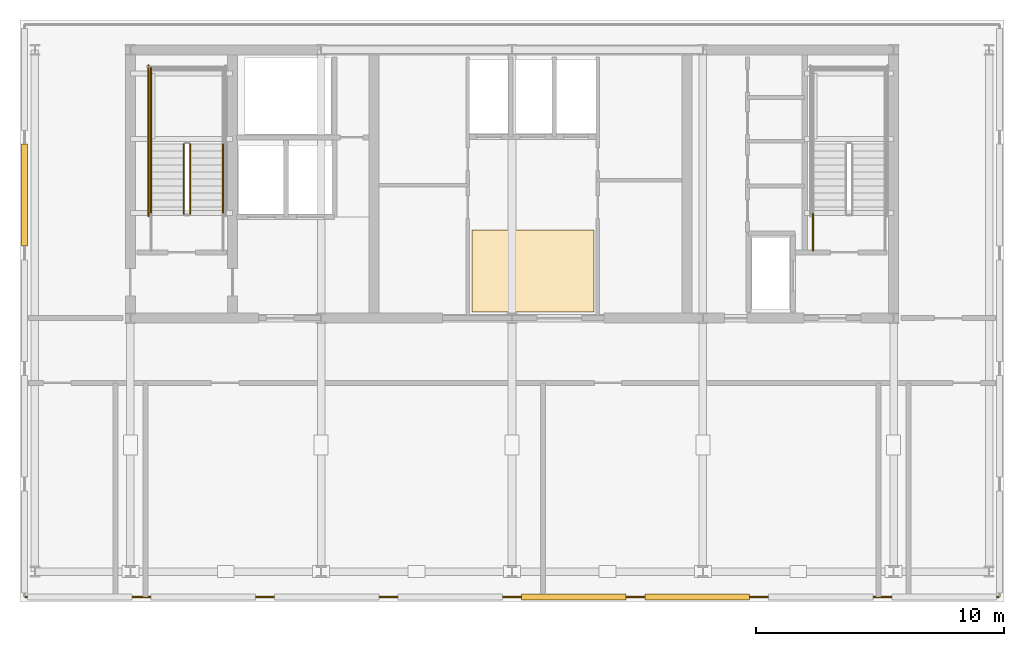
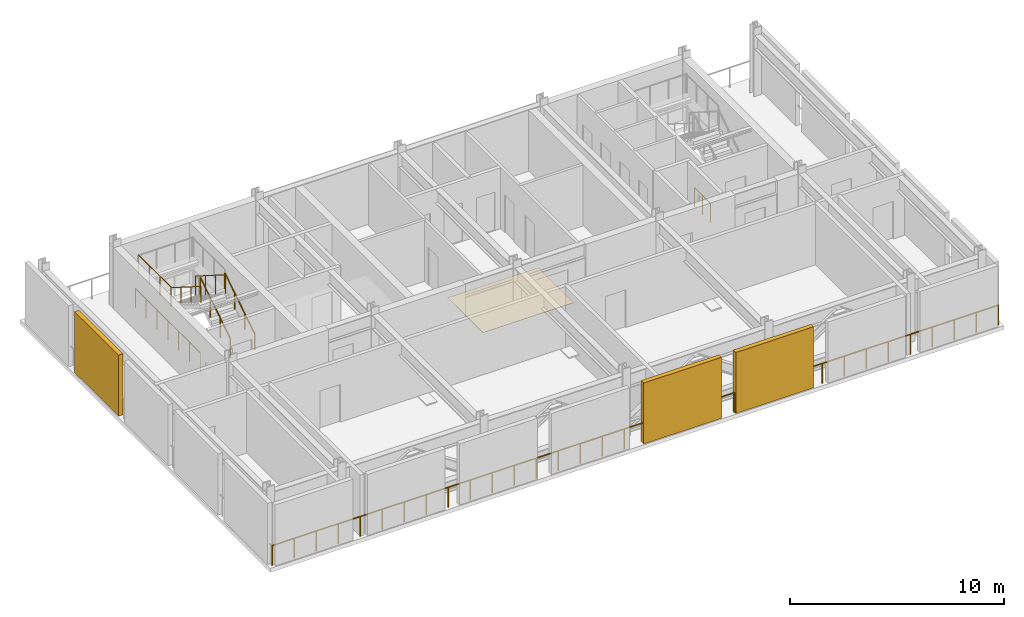
# One storey, part 5 of 8: 8 railings, 3 shading devices, 1 covering.
"""IFC4 building model written with IfcOpenShell, lengths in metres."""

from ifc_helpers import new_model, si_unit, direction, frame, origin, origin_2d, place, context, subcontext, project, spatial, polyline, rectangle, circle, outline, extrude, material, layer, layer_set, type_object, element, save


model = new_model("IFC4")

# Units and contexts
model_context = context("Model", 3, precision=1e-05, world=origin(), true_north=direction((0.0, 1.0)))
body_context = subcontext(model_context, "Body", "Model", "MODEL_VIEW")
ifc_project = project(units=[si_unit("LENGTHUNIT", "METRE"), si_unit("AREAUNIT", "SQUARE_METRE"), si_unit("VOLUMEUNIT", "CUBIC_METRE"), si_unit("PLANEANGLEUNIT", "RADIAN"), si_unit("MASSUNIT", "GRAM", prefix="KILO")], contexts=[model_context])

# Site, building, storey
site_placement = place(None, origin())
site = spatial("IfcSite", under=ifc_project, at=site_placement, CompositionType="ELEMENT")
building_placement = place(site_placement, origin())
building = spatial("IfcBuilding", under=site, at=building_placement, Name="Yelkora Congress Tower", CompositionType="ELEMENT")
storey_placement = place(building_placement, frame((0.0, 0.0, 251.300048828125)))
storey = spatial("IfcBuildingStorey", under=building, at=storey_placement, Name="L70", CompositionType="ELEMENT", Elevation=251.300048828125)

# Covering
ifc_material_1 = material(Name="Polished Anatolian grey granite tile", Category="masonry")
ifc_layer_1 = layer(ifc_material_1, 0.02001953125)
ifc_layer_set_1 = layer_set([ifc_layer_1], Name="Polished Anatolian grey granite tile")
covering_type = type_object("IfcCoveringType", Name="COV-FLOOR-GRANITE-20", PredefinedType="FLOORING", material=ifc_layer_set_1)
covering_placement = place(storey_placement, origin())
element("IfcCovering", 1, at=covering_placement, inside=storey, type_object=covering_type, Name="L70 Lift Lobby Granite Flooring", PredefinedType="FLOORING", context=body_context, shape_type="SweptSolid", body=[
    extrude(outline(polyline([(36.800048828125, 35.64990234375), (41.699951171875, 35.64990234375), (41.699951171875, 38.949951171875), (36.800048828125, 38.949951171875), (36.800048828125, 35.64990234375)])), origin(), (0.0, 0.0, 1.0), 0.02001953125),
])

# Railings
ifc_material_2 = material(Name="Stainless steel 316L and laminated glass infill", Category="steel")
ifc_layer_2 = layer(ifc_material_2, 0.080078125)
ifc_layer_set_2 = layer_set([ifc_layer_2], Name="Stainless steel 316L and laminated glass infill")
railing_type_1 = type_object("IfcRailingType", Name="RAIL-EXT-GUARD-1150", PredefinedType="GUARDRAIL", material=ifc_layer_set_2)
railing_1_placement = place(storey_placement, frame((18.800048828125, 24.179931640625, 0.0)))
element("IfcRailing", 2, at=railing_1_placement, inside=storey, type_object=railing_type_1, Name="L70 Wind-Floor South Guardrail", PredefinedType="GUARDRAIL", context=body_context, shape_type="SweptSolid", body=[
    extrude(circle(Radius=0.02392578125, at=origin_2d()), frame((0.0, 0.0, 1.1259765625), z_axis=(1.0, 0.0, 0.0), x_axis=(0.0, 1.0, 0.0)), (0.0, 0.0, 1.0), 39.199951171875),
    extrude(circle(Radius=0.02099609375, at=origin_2d()), origin(), (0.0, 0.0, 1.0), 1.101806640625),
    extrude(circle(Radius=0.02099609375, at=origin_2d()), frame((1.18798828125, 0.0, 0.0)), (0.0, 0.0, 1.0), 1.101806640625),
    extrude(circle(Radius=0.02099609375, at=origin_2d()), frame((2.375732421875, 0.0, 0.0)), (0.0, 0.0, 1.0), 1.101806640625),
    extrude(circle(Radius=0.02099609375, at=origin_2d()), frame((3.563720703125, 0.0, 0.0)), (0.0, 0.0, 1.0), 1.101806640625),
    extrude(circle(Radius=0.02099609375, at=origin_2d()), frame((4.75146484375, 0.0, 0.0)), (0.0, 0.0, 1.0), 1.101806640625),
    extrude(circle(Radius=0.02099609375, at=origin_2d()), frame((5.939453125, 0.0, 0.0)), (0.0, 0.0, 1.0), 1.101806640625),
    extrude(circle(Radius=0.02099609375, at=origin_2d()), frame((7.127197265625, 0.0, 0.0)), (0.0, 0.0, 1.0), 1.101806640625),
    extrude(circle(Radius=0.02099609375, at=origin_2d()), frame((8.315185546875, 0.0, 0.0)), (0.0, 0.0, 1.0), 1.101806640625),
    extrude(circle(Radius=0.02099609375, at=origin_2d()), frame((9.5029296875, 0.0, 0.0)), (0.0, 0.0, 1.0), 1.101806640625),
    extrude(circle(Radius=0.02099609375, at=origin_2d()), frame((10.69091796875, 0.0, 0.0)), (0.0, 0.0, 1.0), 1.101806640625),
    extrude(circle(Radius=0.02099609375, at=origin_2d()), frame((11.878662109375, 0.0, 0.0)), (0.0, 0.0, 1.0), 1.101806640625),
    extrude(circle(Radius=0.02099609375, at=origin_2d()), frame((13.066650390625, 0.0, 0.0)), (0.0, 0.0, 1.0), 1.101806640625),
    extrude(circle(Radius=0.02099609375, at=origin_2d()), frame((14.254638671875, 0.0, 0.0)), (0.0, 0.0, 1.0), 1.101806640625),
    extrude(circle(Radius=0.02099609375, at=origin_2d()), frame((15.4423828125, 0.0, 0.0)), (0.0, 0.0, 1.0), 1.101806640625),
    extrude(circle(Radius=0.02099609375, at=origin_2d()), frame((16.63037109375, 0.0, 0.0)), (0.0, 0.0, 1.0), 1.101806640625),
    extrude(circle(Radius=0.02099609375, at=origin_2d()), frame((17.818115234375, 0.0, 0.0)), (0.0, 0.0, 1.0), 1.101806640625),
    extrude(circle(Radius=0.02099609375, at=origin_2d()), frame((19.006103515625, 0.0, 0.0)), (0.0, 0.0, 1.0), 1.101806640625),
    extrude(circle(Radius=0.02099609375, at=origin_2d()), frame((20.19384765625, 0.0, 0.0)), (0.0, 0.0, 1.0), 1.101806640625),
    extrude(circle(Radius=0.02099609375, at=origin_2d()), frame((21.3818359375, 0.0, 0.0)), (0.0, 0.0, 1.0), 1.101806640625),
    extrude(circle(Radius=0.02099609375, at=origin_2d()), frame((22.569580078125, 0.0, 0.0)), (0.0, 0.0, 1.0), 1.101806640625),
    extrude(circle(Radius=0.02099609375, at=origin_2d()), frame((23.757568359375, 0.0, 0.0)), (0.0, 0.0, 1.0), 1.101806640625),
    extrude(circle(Radius=0.02099609375, at=origin_2d()), frame((24.9453125, 0.0, 0.0)), (0.0, 0.0, 1.0), 1.101806640625),
    extrude(circle(Radius=0.02099609375, at=origin_2d()), frame((26.13330078125, 0.0, 0.0)), (0.0, 0.0, 1.0), 1.101806640625),
    extrude(circle(Radius=0.02099609375, at=origin_2d()), frame((27.3212890625, 0.0, 0.0)), (0.0, 0.0, 1.0), 1.101806640625),
    extrude(circle(Radius=0.02099609375, at=origin_2d()), frame((28.509033203125, 0.0, 0.0)), (0.0, 0.0, 1.0), 1.101806640625),
    extrude(circle(Radius=0.02099609375, at=origin_2d()), frame((29.697021484375, 0.0, 0.0)), (0.0, 0.0, 1.0), 1.101806640625),
    extrude(circle(Radius=0.02099609375, at=origin_2d()), frame((30.884765625, 0.0, 0.0)), (0.0, 0.0, 1.0), 1.101806640625),
    extrude(circle(Radius=0.02099609375, at=origin_2d()), frame((32.07275390625, 0.0, 0.0)), (0.0, 0.0, 1.0), 1.101806640625),
    extrude(circle(Radius=0.02099609375, at=origin_2d()), frame((33.260498046875, 0.0, 0.0)), (0.0, 0.0, 1.0), 1.101806640625),
    extrude(circle(Radius=0.02099609375, at=origin_2d()), frame((34.448486328125, 0.0, 0.0)), (0.0, 0.0, 1.0), 1.101806640625),
    extrude(circle(Radius=0.02099609375, at=origin_2d()), frame((35.63623046875, 0.0, 0.0)), (0.0, 0.0, 1.0), 1.101806640625),
    extrude(circle(Radius=0.02099609375, at=origin_2d()), frame((36.82421875, 0.0, 0.0)), (0.0, 0.0, 1.0), 1.101806640625),
    extrude(circle(Radius=0.02099609375, at=origin_2d()), frame((38.011962890625, 0.0, 0.0)), (0.0, 0.0, 1.0), 1.101806640625),
    extrude(circle(Radius=0.02099609375, at=origin_2d()), frame((39.199951171875, 0.0, 0.0)), (0.0, 0.0, 1.0), 1.101806640625),
])
ifc_material_3 = material(Name="Painted galvanised steel stair well guard with vertical infill", Category="steel")
ifc_layer_3 = layer(ifc_material_3, 0.06005859375)
ifc_layer_set_3 = layer_set([ifc_layer_3], Name="Painted galvanised steel stair well guard with vertical infill")
railing_type_2 = type_object("IfcRailingType", Name="RAIL-STAIR-GUARD-1120", PredefinedType="GUARDRAIL", material=ifc_layer_set_3)
railing_2_placement = place(storey_placement, frame((25.449951171875, 39.60009765625, 0.17724609375)))
element("IfcRailing", 3, at=railing_2_placement, inside=storey, type_object=railing_type_2, Name="ST-01 L70 Stair Well Guardrail 1", PredefinedType="GUARDRAIL", context=body_context, shape_type="SweptSolid", body=[
    extrude(circle(Radius=0.02392578125, at=origin_2d()), frame((0.0, 0.0, 1.09619140625), z_axis=(0.0, 0.844887892834, 0.53494340686), x_axis=(-1.0, 0.0, 0.0)), (0.0, 0.0, 1.0), 3.313720703125),
    extrude(circle(Radius=0.02099609375, at=origin_2d()), origin(), (0.0, 0.0, 1.0), 1.072021484375),
    extrude(circle(Radius=0.02099609375, at=origin_2d()), frame((0.0, 0.933349609375, 0.5908203125)), (0.0, 0.0, 1.0), 1.072021484375),
    extrude(circle(Radius=0.02099609375, at=origin_2d()), frame((0.0, 1.866455078125, 1.181884765625)), (0.0, 0.0, 1.0), 1.072021484375),
    extrude(circle(Radius=0.02099609375, at=origin_2d()), frame((0.0, 2.7998046875, 1.772705078125)), (0.0, 0.0, 1.0), 1.072021484375),
])
railing_3_placement = place(storey_placement, frame((23.8701171875, 42.39990234375, 1.949951171875)))
element("IfcRailing", 4, at=railing_3_placement, inside=storey, type_object=railing_type_2, Name="ST-01 L70 Stair Well Guardrail 4", PredefinedType="GUARDRAIL", context=body_context, shape_type="SweptSolid", body=[
    extrude(circle(Radius=0.02392578125, at=origin_2d()), frame((0.0, 0.0, 1.09619140625), z_axis=(0.0, 1.0, 0.0), x_axis=(-1.0, 0.0, 0.0)), (0.0, 0.0, 1.0), 3.070068359375),
    extrude(circle(Radius=0.02099609375, at=origin_2d()), origin(), (0.0, 0.0, 1.0), 1.072021484375),
    extrude(circle(Radius=0.02099609375, at=origin_2d()), frame((0.0, 1.0234375, 0.0)), (0.0, 0.0, 1.0), 1.072021484375),
    extrude(circle(Radius=0.02099609375, at=origin_2d()), frame((0.0, 2.046630859375, 0.0)), (0.0, 0.0, 1.0), 1.072021484375),
    extrude(circle(Radius=0.02099609375, at=origin_2d()), frame((0.0, 3.070068359375, 0.0)), (0.0, 0.0, 1.0), 1.072021484375),
])
railing_4_placement = place(storey_placement, frame((25.18994140625, 42.39990234375, 2.127197265625)))
element("IfcRailing", 5, at=railing_4_placement, inside=storey, type_object=railing_type_2, Name="ST-01 L70 Stair Well Guardrail 6", PredefinedType="GUARDRAIL", context=body_context, shape_type="SweptSolid", body=[
    extrude(circle(Radius=0.02392578125, at=origin_2d()), frame((0.0, 0.0, 1.09619140625), z_axis=(0.0, -0.844887892834, 0.53494340686), x_axis=(1.0, 0.0, 0.0)), (0.0, 0.0, 1.0), 3.313720703125),
    extrude(circle(Radius=0.02099609375, at=origin_2d()), origin(), (0.0, 0.0, 1.0), 1.072021484375),
    extrude(circle(Radius=0.02099609375, at=origin_2d()), frame((0.0, -0.933349609375, 0.5908203125)), (0.0, 0.0, 1.0), 1.072021484375),
    extrude(circle(Radius=0.02099609375, at=origin_2d()), frame((0.0, -1.866455078125, 1.181884765625)), (0.0, 0.0, 1.0), 1.072021484375),
    extrude(circle(Radius=0.02099609375, at=origin_2d()), frame((0.0, -2.7998046875, 1.772705078125)), (0.0, 0.0, 1.0), 1.072021484375),
])
railing_5_placement = place(storey_placement, frame((23.77001953125, 39.5, 0.0)))
element("IfcRailing", 6, at=railing_5_placement, inside=storey, type_object=railing_type_2, Name="ST-01 L70 Stair Well Guardrail 11", PredefinedType="GUARDRAIL", context=body_context, shape_type="SweptSolid", body=[
    extrude(circle(Radius=0.02392578125, at=origin_2d()), frame((0.0, 0.0, 1.09619140625), z_axis=(0.0, 1.0, 0.0), x_axis=(-1.0, 0.0, 0.0)), (0.0, 0.0, 1.0), 6.070068359375),
    extrude(circle(Radius=0.02099609375, at=origin_2d()), origin(), (0.0, 0.0, 1.0), 1.072021484375),
    extrude(circle(Radius=0.02099609375, at=origin_2d()), frame((0.0, 1.01171875, 0.0)), (0.0, 0.0, 1.0), 1.072021484375),
    extrude(circle(Radius=0.02099609375, at=origin_2d()), frame((0.0, 2.0234375, 0.0)), (0.0, 0.0, 1.0), 1.072021484375),
    extrude(circle(Radius=0.02099609375, at=origin_2d()), frame((0.0, 3.03515625, 0.0)), (0.0, 0.0, 1.0), 1.072021484375),
    extrude(circle(Radius=0.02099609375, at=origin_2d()), frame((0.0, 4.046630859375, 0.0)), (0.0, 0.0, 1.0), 1.072021484375),
    extrude(circle(Radius=0.02099609375, at=origin_2d()), frame((0.0, 5.058349609375, 0.0)), (0.0, 0.0, 1.0), 1.072021484375),
    extrude(circle(Radius=0.02099609375, at=origin_2d()), frame((0.0, 6.070068359375, 0.0)), (0.0, 0.0, 1.0), 1.072021484375),
])
railing_6_placement = place(storey_placement, frame((50.510009765625, 38.1201171875, 0.0)))
element("IfcRailing", 7, at=railing_6_placement, inside=storey, type_object=railing_type_2, Name="ST-02 L70 Stair Well Guardrail 9", PredefinedType="GUARDRAIL", context=body_context, shape_type="SweptSolid", body=[
    extrude(circle(Radius=0.02392578125, at=origin_2d()), frame((0.0, 0.0, 1.09619140625), z_axis=(0.0, 1.0, 0.0), x_axis=(-1.0, 0.0, 0.0)), (0.0, 0.0, 1.0), 1.47998046875),
    extrude(circle(Radius=0.02099609375, at=origin_2d()), origin(), (0.0, 0.0, 1.0), 1.072021484375),
    extrude(circle(Radius=0.02099609375, at=origin_2d()), frame((0.0, 0.739990234375, 0.0)), (0.0, 0.0, 1.0), 1.072021484375),
    extrude(circle(Radius=0.02099609375, at=origin_2d()), frame((0.0, 1.47998046875, 0.0)), (0.0, 0.0, 1.0), 1.072021484375),
])
ifc_material_4 = material(Name="Brushed stainless steel tubular handrail", Category="steel")
ifc_layer_4 = layer(ifc_material_4, 0.050048828125)
ifc_layer_set_4 = layer_set([ifc_layer_4], Name="Brushed stainless steel tubular handrail")
railing_type_3 = type_object("IfcRailingType", Name="RAIL-STAIR-HAND-920", PredefinedType="HANDRAIL", material=ifc_layer_set_4)
railing_7_placement = place(storey_placement, frame((26.77001953125, 39.60009765625, 0.17724609375)))
element("IfcRailing", 8, at=railing_7_placement, inside=storey, type_object=railing_type_3, Name="ST-01 L70 Pitch Handrail 1", PredefinedType="HANDRAIL", context=body_context, shape_type="SweptSolid", body=[
    extrude(circle(Radius=0.02392578125, at=origin_2d()), frame((0.0, 0.0, 0.89599609375), z_axis=(0.0, 0.844887892834, 0.53494340686), x_axis=(-1.0, 0.0, 0.0)), (0.0, 0.0, 1.0), 3.313720703125),
    extrude(circle(Radius=0.02099609375, at=origin_2d()), origin(), (0.0, 0.0, 1.0), 0.871826171875),
    extrude(circle(Radius=0.02099609375, at=origin_2d()), frame((0.0, 0.933349609375, 0.5908203125)), (0.0, 0.0, 1.0), 0.871826171875),
    extrude(circle(Radius=0.02099609375, at=origin_2d()), frame((0.0, 1.866455078125, 1.181884765625)), (0.0, 0.0, 1.0), 0.871826171875),
    extrude(circle(Radius=0.02099609375, at=origin_2d()), frame((0.0, 2.7998046875, 1.772705078125)), (0.0, 0.0, 1.0), 0.871826171875),
])
railing_8_placement = place(storey_placement, frame((23.8701171875, 42.39990234375, 2.127197265625)))
element("IfcRailing", 9, at=railing_8_placement, inside=storey, type_object=railing_type_3, Name="ST-01 L70 Pitch Handrail 2", PredefinedType="HANDRAIL", context=body_context, shape_type="SweptSolid", body=[
    extrude(circle(Radius=0.02392578125, at=origin_2d()), frame((0.0, 0.0, 0.89599609375), z_axis=(0.0, -0.844887892834, 0.53494340686), x_axis=(1.0, 0.0, 0.0)), (0.0, 0.0, 1.0), 3.313720703125),
    extrude(circle(Radius=0.02099609375, at=origin_2d()), origin(), (0.0, 0.0, 1.0), 0.871826171875),
    extrude(circle(Radius=0.02099609375, at=origin_2d()), frame((0.0, -0.933349609375, 0.5908203125)), (0.0, 0.0, 1.0), 0.871826171875),
    extrude(circle(Radius=0.02099609375, at=origin_2d()), frame((0.0, -1.866455078125, 1.181884765625)), (0.0, 0.0, 1.0), 0.871826171875),
    extrude(circle(Radius=0.02099609375, at=origin_2d()), frame((0.0, -2.7998046875, 1.772705078125)), (0.0, 0.0, 1.0), 0.871826171875),
])

# Shading devices
ifc_material_5 = material(Name="Perforated anodised aluminium louvre", Category="aluminium")
ifc_layer_5 = layer(ifc_material_5, 3.39990234375)
ifc_layer_set_5 = layer_set([ifc_layer_5], Name="Perforated anodised aluminium louvre")
shading_device_type = type_object("IfcShadingDeviceType", Name="SHD-LOUVRE-WIND", PredefinedType="JALOUSIE", material=ifc_layer_set_5)
shading_device_placement = place(storey_placement, frame((18.780029296875, 40.35009765625, 0.0), z_axis=(0.0, 0.0, 1.0), x_axis=(1.0, 0.0, 0.0)))
element("IfcShadingDevice", 10, at=shading_device_placement, inside=storey, type_object=shading_device_type, Name="L70 Acoustic Wind-Floor Louvre Screen W4", PredefinedType="JALOUSIE", context=body_context, shape_type="SweptSolid", body=[
    extrude(rectangle(XDim=0.239990234375, YDim=4.10009765625, at=origin_2d()), origin(), (0.0, 0.0, 1.0), 3.47998046875),
])
for number, where, z_axis, x_axis, name in (
    (11, (40.8857421875, 24.179931640625, 0.0), (0.0, 0.0, 1.0), (1.0, 0.0, 0.0), "L70 South Blow-Through Wind Louvre 5"),
    (12, (45.857177734375, 24.179931640625, 0.0), (0.0, 0.0, 1.0), (1.0, 0.0, 0.0), "L70 South Blow-Through Wind Louvre 6"),
):
    element("IfcShadingDevice", number, at=place(storey_placement, frame(where, z_axis=z_axis, x_axis=x_axis)), inside=storey, type_object=shading_device_type, Name=name, PredefinedType="JALOUSIE", context=body_context, shape_type="SweptSolid", body=[
        extrude(rectangle(XDim=4.199951171875, YDim=0.239990234375, at=origin_2d()), origin(), (0.0, 0.0, 1.0), 3.47998046875),
    ])

save(model, "model.ifc")
